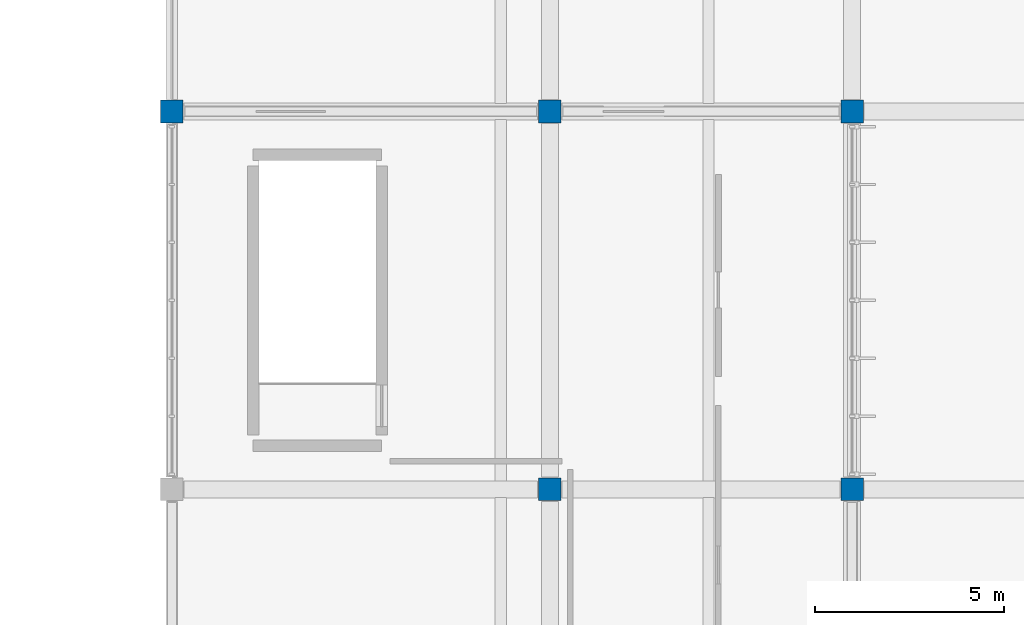
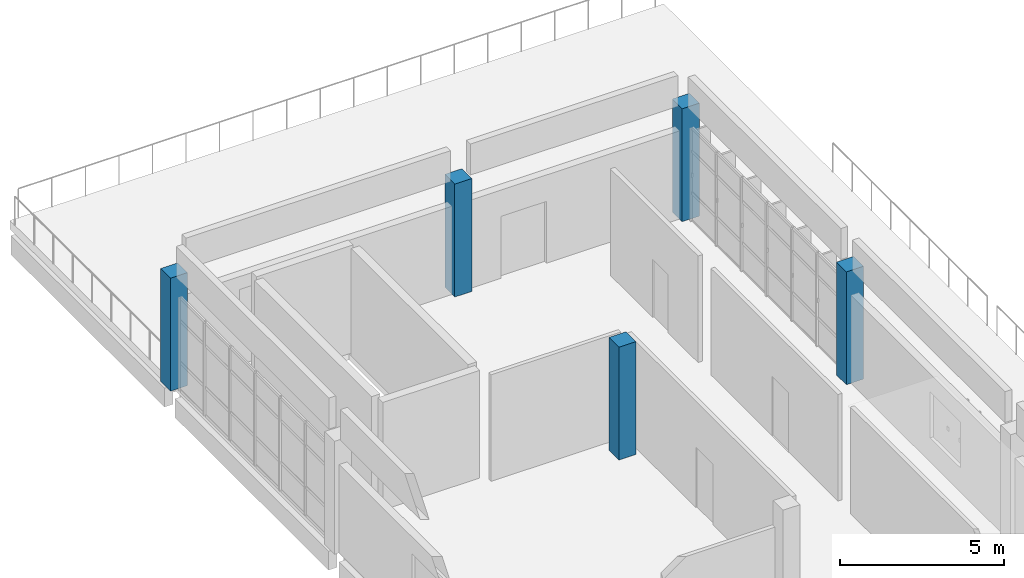
# One storey, part 4 of 39: 5 columns.
"""IFC4 building model written with IfcOpenShell, lengths in metres."""

from ifc_helpers import new_model, si_unit, direction, frame, origin, origin_2d, place, context, subcontext, project, spatial, rectangle, extrude, material, material_profile, profile_set, type_object, element, save


model = new_model("IFC4")

# Units and contexts
model_context = context("Model", 3, precision=1e-05, world=origin(), true_north=direction((0.0, 1.0)))
body_context = subcontext(model_context, "Body", "Model", "MODEL_VIEW")
ifc_project = project(units=[si_unit("LENGTHUNIT", "METRE"), si_unit("AREAUNIT", "SQUARE_METRE"), si_unit("VOLUMEUNIT", "CUBIC_METRE"), si_unit("PLANEANGLEUNIT", "RADIAN"), si_unit("MASSUNIT", "GRAM", prefix="KILO")], contexts=[model_context])

# Site, building, storey
site_placement = place(None, origin())
site = spatial("IfcSite", under=ifc_project, at=site_placement, CompositionType="ELEMENT")
building_placement = place(site_placement, origin())
building = spatial("IfcBuilding", under=site, at=building_placement, Name="Corvandel Quay Wholesale Market", CompositionType="ELEMENT")
storey_placement = place(building_placement, frame((0.0, 0.0, 15.0)))
storey = spatial("IfcBuildingStorey", under=building, at=storey_placement, Name="L03", CompositionType="ELEMENT", Elevation=15.0)

# Columns
ifc_material = material(Name="Precast concrete C45/55", Category="concrete")
ifc_material_profile = material_profile(ifc_material, rectangle(XDim=0.60009765625, YDim=0.60009765625, at=origin_2d()), Name="PC-COL-600x600")
ifc_profile_set = profile_set([ifc_material_profile], Name="Precast concrete C45/55")
column_type = type_object("IfcColumnType", Name="Precast Column C06 600x600", PredefinedType="COLUMN", material=ifc_profile_set)
for number, where, z_axis, x_axis, name in (
    (1, (220.0, 90.0, 0.0), (0.0, 0.0, 1.0), (1.0, 0.0, 0.0), "Column COL-0806"),
    (2, (230.0, 80.0, 0.0), (0.0, 0.0, 1.0), (1.0, 0.0, 0.0), "Column COL-0842"),
    (3, (230.0, 90.0, 0.0), (0.0, 0.0, 1.0), (1.0, 0.0, 0.0), "Column COL-0846"),
    (4, (238.0, 80.0, 0.0), (0.0, 0.0, 1.0), (1.0, 0.0, 0.0), "Column COL-0882"),
    (5, (238.0, 90.0, 0.0), (0.0, 0.0, 1.0), (1.0, 0.0, 0.0), "Column COL-0886"),
):
    element("IfcColumn", number, at=place(storey_placement, frame(where, z_axis=z_axis, x_axis=x_axis)), inside=storey, type_object=column_type, Name=name, PredefinedType="COLUMN", context=body_context, shape_type="SweptSolid", body=[
        extrude(rectangle(XDim=0.60009765625, YDim=0.60009765625, at=origin_2d()), origin(), (0.0, 0.0, 1.0), 4.199951171875),
    ])

save(model, "model.ifc")
